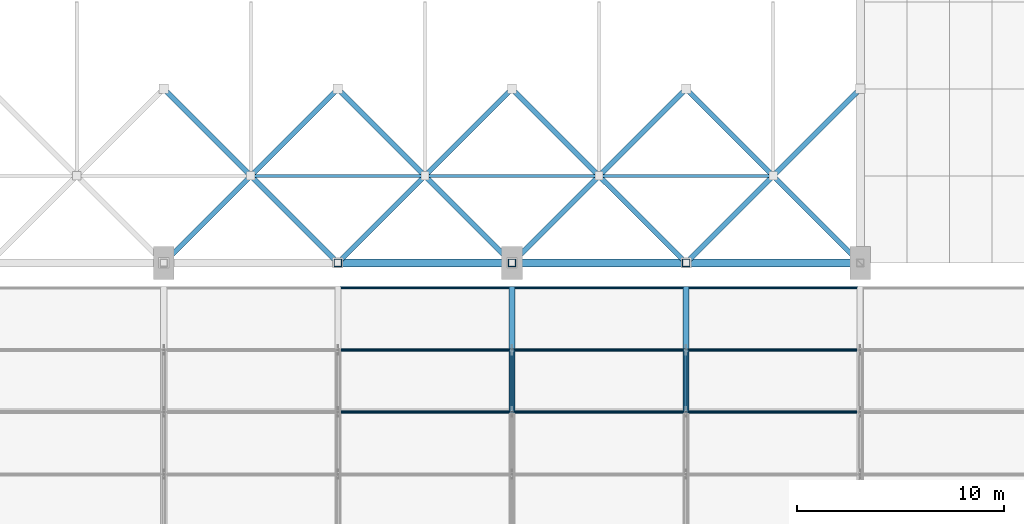
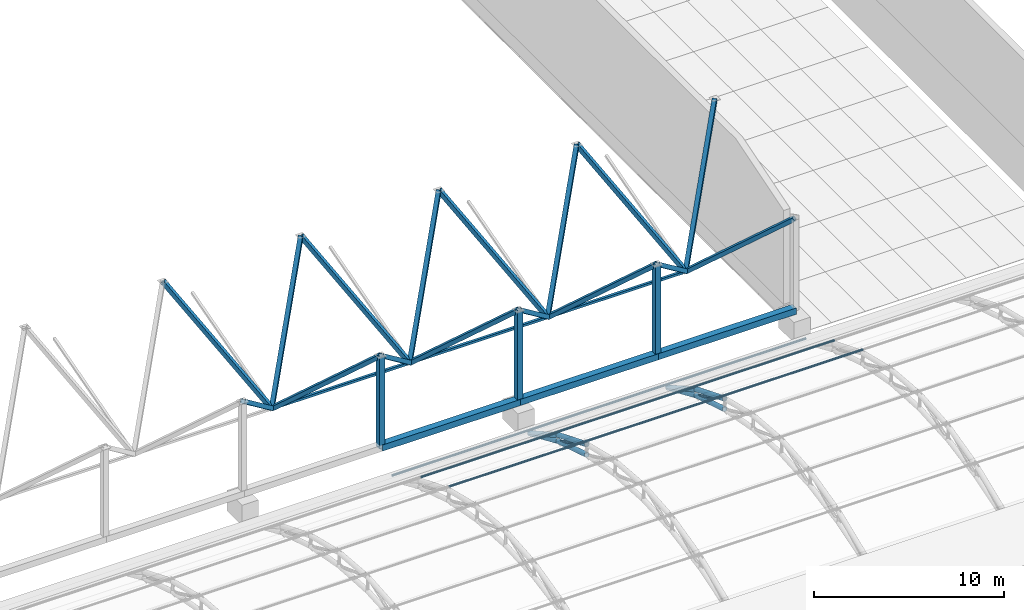
# One storey, part 22 of 163: 44 members.
"""IFC4 building model written with IfcOpenShell, lengths in metres."""

from ifc_helpers import new_model, si_unit, direction, frame, origin, origin_2d, place, context, subcontext, project, spatial, hollow_rectangle, hollow_circle, extrude, material, material_profile, profile_set, type_object, element, save


model = new_model("IFC4")

# Units and contexts
model_context = context("Model", 3, precision=1e-05, world=origin(), true_north=direction((0.0, 1.0)))
body_context = subcontext(model_context, "Body", "Model", "MODEL_VIEW")
ifc_project = project(units=[si_unit("LENGTHUNIT", "METRE"), si_unit("AREAUNIT", "SQUARE_METRE"), si_unit("VOLUMEUNIT", "CUBIC_METRE"), si_unit("PLANEANGLEUNIT", "RADIAN"), si_unit("MASSUNIT", "GRAM", prefix="KILO")], contexts=[model_context])

# Site, building, storey
site_placement = place(None, origin())
site = spatial("IfcSite", under=ifc_project, at=site_placement, CompositionType="ELEMENT")
building_placement = place(site_placement, origin())
building = spatial("IfcBuilding", under=site, at=building_placement, Name="Rain Tree Exposition and Congress Centre", CompositionType="ELEMENT")
storey_placement = place(building_placement, frame((0.0, 0.0, 10.5)))
storey = spatial("IfcBuildingStorey", under=building, at=storey_placement, Name="L02", CompositionType="ELEMENT", Elevation=10.5)

# Members
ifc_material_1 = material(Name="Steel S355J2H", Category="steel")
ifc_material_profile_1 = material_profile(ifc_material_1, hollow_circle(Radius=0.090087890625, WallThickness=0.008056640625, at=origin_2d()), Name="CHS 180x8")
ifc_profile_set_1 = profile_set([ifc_material_profile_1], Name="Steel S355J2H")
member_type_1 = type_object("IfcMemberType", Name="Steel brace member CHS 180x8", PredefinedType="BRACE", material=ifc_profile_set_1)
for number, where, z_axis, x_axis, name in (
    (1, (109.199951171875, 96.60009765625, 1.4423828125), (0.0, -0.880818418444, 0.473454236151), (1.0, 0.0, 0.0), "Roof truss 14 diagonal 6"),
    (2, (117.60009765625, 96.60009765625, 1.4423828125), (0.0, -0.880818418444, 0.473454236151), (1.0, 0.0, 0.0), "Roof truss 15 diagonal 6"),
):
    element("IfcMember", number, at=place(storey_placement, frame(where, z_axis=z_axis, x_axis=x_axis)), inside=storey, type_object=member_type_1, Name=name, PredefinedType="BRACE", context=body_context, shape_type="SweptSolid", body=[
        extrude(hollow_circle(Radius=0.090087890625, WallThickness=0.008056640625, at=origin_2d()), origin(), (0.0, 0.0, 1.0), 3.406005859375),
    ])
ifc_material_2 = material(Name="Steel S355J2H", Category="steel")
ifc_material_profile_2 = material_profile(ifc_material_2, hollow_rectangle(XDim=0.25, YDim=0.25, WallThickness=0.006103515625, at=origin_2d()), Name="RHS 250x250x6")
ifc_profile_set_2 = profile_set([ifc_material_profile_2], Name="Steel S355J2H")
member_type_2 = type_object("IfcMemberType", Name="Steel brace member RHS 250x250x6", PredefinedType="BRACE", material=ifc_profile_set_2)
for number, where, z_axis, x_axis, name in (
    (3, (96.60009765625, 105.0, 2.87353515625), (-0.564709499992, -0.564676675678, 0.601866623567), (0.70708622964, -0.707127332136, 0.0), "Diagonal 423"),
    (4, (96.60009765625, 105.0, 2.87353515625), (0.564687142626, -0.564687142626, 0.601877779875), (0.707106781187, 0.707106781187, 0.0), "Diagonal 424"),
):
    element("IfcMember", number, at=place(storey_placement, frame(where, z_axis=z_axis, x_axis=x_axis)), inside=storey, type_object=member_type_2, Name=name, PredefinedType="BRACE", context=body_context, shape_type="SweptSolid", body=[
        extrude(hollow_rectangle(XDim=0.25, YDim=0.25, WallThickness=0.006103515625, at=origin_2d()), origin(), (0.0, 0.0, 1.0), 7.437744140625),
    ])
for number, where, z_axis, x_axis, name in (
    (5, (96.60009765625, 105.0, 2.87353515625), (-0.453987384881, 0.453960996403, 0.766690855635), (-0.70708622964, -0.707127332136, 0.0), "Diagonal 425"),
    (6, (96.60009765625, 105.0, 2.87353515625), (0.453966434812, 0.453966434812, 0.766700040517), (-0.707106781187, 0.707106781187, 0.0), "Diagonal 426"),
):
    element("IfcMember", number, at=place(storey_placement, frame(where, z_axis=z_axis, x_axis=x_axis)), inside=storey, type_object=member_type_2, Name=name, PredefinedType="BRACE", context=body_context, shape_type="SweptSolid", body=[
        extrude(hollow_rectangle(XDim=0.25, YDim=0.25, WallThickness=0.006103515625, at=origin_2d()), origin(), (0.0, 0.0, 1.0), 9.251708984375),
    ])
for number, where, z_axis, x_axis, name in (
    (7, (105.0, 105.0, 2.87353515625), (-0.564687142626, -0.564687142626, 0.601877779875), (0.707106781187, -0.707106781187, 0.0), "Diagonal 429"),
    (8, (105.0, 105.0, 2.87353515625), (0.564687142626, -0.564687142626, 0.601877779875), (0.707106781187, 0.707106781187, 0.0), "Diagonal 430"),
):
    element("IfcMember", number, at=place(storey_placement, frame(where, z_axis=z_axis, x_axis=x_axis)), inside=storey, type_object=member_type_2, Name=name, PredefinedType="BRACE", context=body_context, shape_type="SweptSolid", body=[
        extrude(hollow_rectangle(XDim=0.25, YDim=0.25, WallThickness=0.006103515625, at=origin_2d()), origin(), (0.0, 0.0, 1.0), 7.437744140625),
    ])
for number, where, z_axis, x_axis, name in (
    (9, (105.0, 105.0, 2.87353515625), (-0.453966434812, 0.453966434812, 0.766700040517), (-0.707106781187, -0.707106781187, 0.0), "Diagonal 431"),
    (10, (105.0, 105.0, 2.87353515625), (0.453966434812, 0.453966434812, 0.766700040517), (-0.707106781187, 0.707106781187, 0.0), "Diagonal 432"),
):
    element("IfcMember", number, at=place(storey_placement, frame(where, z_axis=z_axis, x_axis=x_axis)), inside=storey, type_object=member_type_2, Name=name, PredefinedType="BRACE", context=body_context, shape_type="SweptSolid", body=[
        extrude(hollow_rectangle(XDim=0.25, YDim=0.25, WallThickness=0.006103515625, at=origin_2d()), origin(), (0.0, 0.0, 1.0), 9.251708984375),
    ])
for number, where, z_axis, x_axis, name in (
    (11, (113.39990234375, 105.0, 2.87353515625), (-0.564687142626, -0.564687142626, 0.601877779875), (0.707106781187, -0.707106781187, 0.0), "Diagonal 435"),
    (12, (113.39990234375, 105.0, 2.87353515625), (0.564709499992, -0.564676675678, 0.601866623567), (0.70708622964, 0.707127332136, 0.0), "Diagonal 436"),
):
    element("IfcMember", number, at=place(storey_placement, frame(where, z_axis=z_axis, x_axis=x_axis)), inside=storey, type_object=member_type_2, Name=name, PredefinedType="BRACE", context=body_context, shape_type="SweptSolid", body=[
        extrude(hollow_rectangle(XDim=0.25, YDim=0.25, WallThickness=0.006103515625, at=origin_2d()), origin(), (0.0, 0.0, 1.0), 7.437744140625),
    ])
for number, where, z_axis, x_axis, name in (
    (13, (113.39990234375, 105.0, 2.87353515625), (-0.453966434812, 0.453966434812, 0.766700040517), (-0.707106781187, -0.707106781187, 0.0), "Diagonal 437"),
    (14, (113.39990234375, 105.0, 2.87353515625), (0.453987384881, 0.453960996403, 0.766690855635), (-0.70708622964, 0.707127332136, 0.0), "Diagonal 438"),
):
    element("IfcMember", number, at=place(storey_placement, frame(where, z_axis=z_axis, x_axis=x_axis)), inside=storey, type_object=member_type_2, Name=name, PredefinedType="BRACE", context=body_context, shape_type="SweptSolid", body=[
        extrude(hollow_rectangle(XDim=0.25, YDim=0.25, WallThickness=0.006103515625, at=origin_2d()), origin(), (0.0, 0.0, 1.0), 9.251708984375),
    ])
for number, where, z_axis, x_axis, name in (
    (15, (121.800048828125, 105.0, 2.87353515625), (-0.564687142626, -0.564687142626, 0.601877779875), (0.707106781187, -0.707106781187, 0.0), "Diagonal 441"),
    (16, (121.800048828125, 105.0, 2.87353515625), (0.564687142626, -0.564687142626, 0.601877779875), (0.707106781187, 0.707106781187, 0.0), "Diagonal 442"),
):
    element("IfcMember", number, at=place(storey_placement, frame(where, z_axis=z_axis, x_axis=x_axis)), inside=storey, type_object=member_type_2, Name=name, PredefinedType="BRACE", context=body_context, shape_type="SweptSolid", body=[
        extrude(hollow_rectangle(XDim=0.25, YDim=0.25, WallThickness=0.006103515625, at=origin_2d()), origin(), (0.0, 0.0, 1.0), 7.437744140625),
    ])
for number, where, z_axis, x_axis, name in (
    (17, (121.800048828125, 105.0, 2.87353515625), (-0.453966434812, 0.453966434812, 0.766700040517), (-0.707106781187, -0.707106781187, 0.0), "Diagonal 443"),
    (18, (121.800048828125, 105.0, 2.87353515625), (0.453966434812, 0.453966434812, 0.766700040517), (-0.707106781187, 0.707106781187, 0.0), "Diagonal 444"),
):
    element("IfcMember", number, at=place(storey_placement, frame(where, z_axis=z_axis, x_axis=x_axis)), inside=storey, type_object=member_type_2, Name=name, PredefinedType="BRACE", context=body_context, shape_type="SweptSolid", body=[
        extrude(hollow_rectangle(XDim=0.25, YDim=0.25, WallThickness=0.006103515625, at=origin_2d()), origin(), (0.0, 0.0, 1.0), 9.251708984375),
    ])
ifc_material_3 = material(Name="Steel S355J2H", Category="steel")
ifc_material_profile_3 = material_profile(ifc_material_3, hollow_circle(Radius=0.14990234375, WallThickness=0.013916015625, at=origin_2d()), Name="CHS 300x14")
ifc_profile_set_3 = profile_set([ifc_material_profile_3], Name="Steel S355J2H")
member_type_3 = type_object("IfcMemberType", Name="Steel chord member CHS 300x14", PredefinedType="CHORD", material=ifc_profile_set_3)
member_1_placement = place(storey_placement, frame((109.199951171875, 93.60009765625, 3.054931640625), z_axis=(0.0, 0.926466577122, -0.376377046956), x_axis=(-1.0, 0.0, 0.0)))
element("IfcMember", 19, at=member_1_placement, inside=storey, type_object=member_type_3, Name="Roof truss 14 top chord 7", PredefinedType="CHORD", context=body_context, shape_type="SweptSolid", body=[
    extrude(hollow_circle(Radius=0.14990234375, WallThickness=0.013916015625, at=origin_2d()), origin(), (0.0, 0.0, 1.0), 3.238037109375),
])
member_2_placement = place(storey_placement, frame((109.199951171875, 93.60009765625, 2.3798828125), z_axis=(0.0, 0.954479978035, -0.298274993136), x_axis=(-1.0, 0.0, 0.0)))
element("IfcMember", 20, at=member_2_placement, inside=storey, type_object=member_type_3, Name="Roof truss 14 bottom chord 7", PredefinedType="CHORD", context=body_context, shape_type="SweptSolid", body=[
    extrude(hollow_circle(Radius=0.14990234375, WallThickness=0.013916015625, at=origin_2d()), origin(), (0.0, 0.0, 1.0), 3.14306640625),
])
member_3_placement = place(storey_placement, frame((109.199951171875, 96.60009765625, 1.836181640625), z_axis=(0.0, 0.869238262324, -0.494393409455), x_axis=(-1.0, 0.0, 0.0)))
element("IfcMember", 21, at=member_3_placement, inside=storey, type_object=member_type_3, Name="Roof truss 14 top chord 8", PredefinedType="CHORD", context=body_context, shape_type="SweptSolid", body=[
    extrude(hollow_circle(Radius=0.14990234375, WallThickness=0.013916015625, at=origin_2d()), origin(), (0.0, 0.0, 1.0), 3.451416015625),
])
member_4_placement = place(storey_placement, frame((109.199951171875, 96.60009765625, 1.4423828125), z_axis=(0.0, 0.916157334902, -0.40081883402), x_axis=(-1.0, 0.0, 0.0)))
element("IfcMember", 22, at=member_4_placement, inside=storey, type_object=member_type_3, Name="Roof truss 14 bottom chord 8", PredefinedType="CHORD", context=body_context, shape_type="SweptSolid", body=[
    extrude(hollow_circle(Radius=0.14990234375, WallThickness=0.013916015625, at=origin_2d()), origin(), (0.0, 0.0, 1.0), 3.274658203125),
])
member_5_placement = place(storey_placement, frame((117.60009765625, 93.60009765625, 3.054931640625), z_axis=(0.0, 0.926466577122, -0.376377046956), x_axis=(-1.0, 0.0, 0.0)))
element("IfcMember", 23, at=member_5_placement, inside=storey, type_object=member_type_3, Name="Roof truss 15 top chord 7", PredefinedType="CHORD", context=body_context, shape_type="SweptSolid", body=[
    extrude(hollow_circle(Radius=0.14990234375, WallThickness=0.013916015625, at=origin_2d()), origin(), (0.0, 0.0, 1.0), 3.238037109375),
])
member_6_placement = place(storey_placement, frame((117.60009765625, 93.60009765625, 2.3798828125), z_axis=(0.0, 0.954479978035, -0.298274993136), x_axis=(-1.0, 0.0, 0.0)))
element("IfcMember", 24, at=member_6_placement, inside=storey, type_object=member_type_3, Name="Roof truss 15 bottom chord 7", PredefinedType="CHORD", context=body_context, shape_type="SweptSolid", body=[
    extrude(hollow_circle(Radius=0.14990234375, WallThickness=0.013916015625, at=origin_2d()), origin(), (0.0, 0.0, 1.0), 3.14306640625),
])
member_7_placement = place(storey_placement, frame((117.60009765625, 96.60009765625, 1.836181640625), z_axis=(0.0, 0.869238262324, -0.494393409455), x_axis=(-1.0, 0.0, 0.0)))
element("IfcMember", 25, at=member_7_placement, inside=storey, type_object=member_type_3, Name="Roof truss 15 top chord 8", PredefinedType="CHORD", context=body_context, shape_type="SweptSolid", body=[
    extrude(hollow_circle(Radius=0.14990234375, WallThickness=0.013916015625, at=origin_2d()), origin(), (0.0, 0.0, 1.0), 3.451416015625),
])
member_8_placement = place(storey_placement, frame((117.60009765625, 96.60009765625, 1.4423828125), z_axis=(0.0, 0.916157334902, -0.40081883402), x_axis=(-1.0, 0.0, 0.0)))
element("IfcMember", 26, at=member_8_placement, inside=storey, type_object=member_type_3, Name="Roof truss 15 bottom chord 8", PredefinedType="CHORD", context=body_context, shape_type="SweptSolid", body=[
    extrude(hollow_circle(Radius=0.14990234375, WallThickness=0.013916015625, at=origin_2d()), origin(), (0.0, 0.0, 1.0), 3.274658203125),
])
ifc_material_4 = material(Name="Steel S355J2H", Category="steel")
ifc_material_profile_4 = material_profile(ifc_material_4, hollow_rectangle(XDim=0.14990234375, YDim=0.14990234375, WallThickness=0.00439453125, at=origin_2d()), Name="RHS 150x150x4.5")
ifc_profile_set_4 = profile_set([ifc_material_profile_4], Name="Steel S355J2H")
member_type_4 = type_object("IfcMemberType", Name="Steel chord member RHS 150x150x4.5", PredefinedType="CHORD", material=ifc_profile_set_4)
for number, where, z_axis, x_axis, name in (
    (27, (96.60009765625, 105.0, 2.87353515625), (1.0, 0.0, 0.0), (0.0, 1.0, 0.0), "Bottom chord 427"),
    (28, (105.0, 105.0, 2.87353515625), (1.0, 0.0, 0.0), (0.0, 1.0, 0.0), "Bottom chord 433"),
):
    element("IfcMember", number, at=place(storey_placement, frame(where, z_axis=z_axis, x_axis=x_axis)), inside=storey, type_object=member_type_4, Name=name, PredefinedType="CHORD", context=body_context, shape_type="SweptSolid", body=[
        extrude(hollow_rectangle(XDim=0.14990234375, YDim=0.14990234375, WallThickness=0.00439453125, at=origin_2d()), origin(), (0.0, 0.0, 1.0), 8.39990234375),
    ])
member_9_placement = place(storey_placement, frame((113.39990234375, 105.0, 2.87353515625), z_axis=(1.0, 0.0, 0.0), x_axis=(0.0, 1.0, 0.0)))
element("IfcMember", 29, at=member_9_placement, inside=storey, type_object=member_type_4, Name="Bottom chord 439", PredefinedType="CHORD", context=body_context, shape_type="SweptSolid", body=[
    extrude(hollow_rectangle(XDim=0.14990234375, YDim=0.14990234375, WallThickness=0.00439453125, at=origin_2d()), origin(), (0.0, 0.0, 1.0), 8.400146484375),
])
ifc_material_5 = material(Name="Steel S355J2H", Category="steel")
ifc_material_profile_5 = material_profile(ifc_material_5, hollow_rectangle(XDim=0.39990234375, YDim=0.39990234375, WallThickness=0.011962890625, at=origin_2d()), Name="RHS 400x400x12")
ifc_profile_set_5 = profile_set([ifc_material_profile_5], Name="Steel S355J2H")
member_type_5 = type_object("IfcMemberType", Name="Steel chord member RHS 400x400x12", PredefinedType="CHORD", material=ifc_profile_set_5)
member_10_placement = place(storey_placement, frame((100.800048828125, 100.800048828125, 1.5), z_axis=(1.0, 0.0, 0.0), x_axis=(0.0, 1.0, 0.0)))
element("IfcMember", 30, at=member_10_placement, inside=storey, type_object=member_type_5, Name="Eaves chord 1356", PredefinedType="CHORD", context=body_context, shape_type="SweptSolid", body=[
    extrude(hollow_rectangle(XDim=0.39990234375, YDim=0.39990234375, WallThickness=0.011962890625, at=origin_2d()), origin(), (0.0, 0.0, 1.0), 8.39990234375),
])
member_11_placement = place(storey_placement, frame((109.199951171875, 100.800048828125, 1.5), z_axis=(1.0, 0.0, 0.0), x_axis=(0.0, 1.0, 0.0)))
element("IfcMember", 31, at=member_11_placement, inside=storey, type_object=member_type_5, Name="Eaves chord 1357", PredefinedType="CHORD", context=body_context, shape_type="SweptSolid", body=[
    extrude(hollow_rectangle(XDim=0.39990234375, YDim=0.39990234375, WallThickness=0.011962890625, at=origin_2d()), origin(), (0.0, 0.0, 1.0), 8.400146484375),
])
member_12_placement = place(storey_placement, frame((117.60009765625, 100.800048828125, 1.5), z_axis=(1.0, 0.0, 0.0), x_axis=(0.0, 1.0, 0.0)))
element("IfcMember", 32, at=member_12_placement, inside=storey, type_object=member_type_5, Name="Eaves chord 1358", PredefinedType="CHORD", context=body_context, shape_type="SweptSolid", body=[
    extrude(hollow_rectangle(XDim=0.39990234375, YDim=0.39990234375, WallThickness=0.011962890625, at=origin_2d()), origin(), (0.0, 0.0, 1.0), 8.39990234375),
])
ifc_material_6 = material(Name="Steel S355J2H", Category="steel")
ifc_material_profile_6 = material_profile(ifc_material_6, hollow_rectangle(XDim=0.35009765625, YDim=0.35009765625, WallThickness=0.009033203125, at=origin_2d()), Name="RHS 350x350x9")
ifc_profile_set_6 = profile_set([ifc_material_profile_6], Name="Steel S355J2H")
member_type_6 = type_object("IfcMemberType", Name="Steel post member RHS 350x350x9", PredefinedType="POST", material=ifc_profile_set_6)
for number, where, z_axis, x_axis, name in (
    (33, (100.800048828125, 100.800048828125, 1.5), (0.0, 0.0, 1.0), (1.0, 0.0, 0.0), "Eaves post 1370"),
    (34, (109.199951171875, 100.800048828125, 1.5), (0.0, 0.0, 1.0), (1.0, 0.0, 0.0), "Eaves post 1371"),
    (35, (117.60009765625, 100.800048828125, 1.5), (0.0, 0.0, 1.0), (1.0, 0.0, 0.0), "Eaves post 1372"),
):
    element("IfcMember", number, at=place(storey_placement, frame(where, z_axis=z_axis, x_axis=x_axis)), inside=storey, type_object=member_type_6, Name=name, PredefinedType="POST", context=body_context, shape_type="SweptSolid", body=[
        extrude(hollow_rectangle(XDim=0.35009765625, YDim=0.35009765625, WallThickness=0.009033203125, at=origin_2d()), origin(), (0.0, 0.0, 1.0), 5.85009765625),
    ])
ifc_material_7 = material(Name="Steel S355J2H", Category="steel")
ifc_material_profile_7 = material_profile(ifc_material_7, hollow_circle(Radius=0.070068359375, WallThickness=0.006103515625, at=origin_2d()), Name="CHS 140x6")
ifc_profile_set_7 = profile_set([ifc_material_profile_7], Name="Steel S355J2H")
member_type_7 = type_object("IfcMemberType", Name="Steel purlin member CHS 140x6", PredefinedType="PURLIN", material=ifc_profile_set_7)
member_13_placement = place(storey_placement, frame((100.800048828125, 93.60009765625, 3.27490234375), z_axis=(1.0, 0.0, 0.0), x_axis=(0.0, 1.0, 0.0)))
element("IfcMember", 36, at=member_13_placement, inside=storey, type_object=member_type_7, Name="Roof purlin 7.13", PredefinedType="PURLIN", context=body_context, shape_type="SweptSolid", body=[
    extrude(hollow_circle(Radius=0.070068359375, WallThickness=0.006103515625, at=origin_2d()), origin(), (0.0, 0.0, 1.0), 8.39990234375),
])
member_14_placement = place(storey_placement, frame((109.199951171875, 93.60009765625, 3.27490234375), z_axis=(1.0, 0.0, 0.0), x_axis=(0.0, 1.0, 0.0)))
element("IfcMember", 37, at=member_14_placement, inside=storey, type_object=member_type_7, Name="Roof purlin 7.14", PredefinedType="PURLIN", context=body_context, shape_type="SweptSolid", body=[
    extrude(hollow_circle(Radius=0.070068359375, WallThickness=0.006103515625, at=origin_2d()), origin(), (0.0, 0.0, 1.0), 8.400146484375),
])
for number, where, z_axis, x_axis, name in (
    (38, (117.60009765625, 93.60009765625, 3.27490234375), (1.0, 0.0, 0.0), (0.0, 1.0, 0.0), "Roof purlin 7.15"),
    (39, (100.800048828125, 96.60009765625, 2.056396484375), (1.0, 0.0, 0.0), (0.0, 1.0, 0.0), "Roof purlin 8.13"),
):
    element("IfcMember", number, at=place(storey_placement, frame(where, z_axis=z_axis, x_axis=x_axis)), inside=storey, type_object=member_type_7, Name=name, PredefinedType="PURLIN", context=body_context, shape_type="SweptSolid", body=[
        extrude(hollow_circle(Radius=0.070068359375, WallThickness=0.006103515625, at=origin_2d()), origin(), (0.0, 0.0, 1.0), 8.39990234375),
    ])
member_15_placement = place(storey_placement, frame((109.199951171875, 96.60009765625, 2.056396484375), z_axis=(1.0, 0.0, 0.0), x_axis=(0.0, 1.0, 0.0)))
element("IfcMember", 40, at=member_15_placement, inside=storey, type_object=member_type_7, Name="Roof purlin 8.14", PredefinedType="PURLIN", context=body_context, shape_type="SweptSolid", body=[
    extrude(hollow_circle(Radius=0.070068359375, WallThickness=0.006103515625, at=origin_2d()), origin(), (0.0, 0.0, 1.0), 8.400146484375),
])
for number, where, z_axis, x_axis, name in (
    (41, (117.60009765625, 96.60009765625, 2.056396484375), (1.0, 0.0, 0.0), (0.0, 1.0, 0.0), "Roof purlin 8.15"),
    (42, (100.800048828125, 99.60009765625, 0.35009765625), (1.0, 0.0, 0.0), (0.0, 1.0, 0.0), "Roof purlin 9.13"),
):
    element("IfcMember", number, at=place(storey_placement, frame(where, z_axis=z_axis, x_axis=x_axis)), inside=storey, type_object=member_type_7, Name=name, PredefinedType="PURLIN", context=body_context, shape_type="SweptSolid", body=[
        extrude(hollow_circle(Radius=0.070068359375, WallThickness=0.006103515625, at=origin_2d()), origin(), (0.0, 0.0, 1.0), 8.39990234375),
    ])
member_16_placement = place(storey_placement, frame((109.199951171875, 99.60009765625, 0.35009765625), z_axis=(1.0, 0.0, 0.0), x_axis=(0.0, 1.0, 0.0)))
element("IfcMember", 43, at=member_16_placement, inside=storey, type_object=member_type_7, Name="Roof purlin 9.14", PredefinedType="PURLIN", context=body_context, shape_type="SweptSolid", body=[
    extrude(hollow_circle(Radius=0.070068359375, WallThickness=0.006103515625, at=origin_2d()), origin(), (0.0, 0.0, 1.0), 8.400146484375),
])
member_17_placement = place(storey_placement, frame((117.60009765625, 99.60009765625, 0.35009765625), z_axis=(1.0, 0.0, 0.0), x_axis=(0.0, 1.0, 0.0)))
element("IfcMember", 44, at=member_17_placement, inside=storey, type_object=member_type_7, Name="Roof purlin 9.15", PredefinedType="PURLIN", context=body_context, shape_type="SweptSolid", body=[
    extrude(hollow_circle(Radius=0.070068359375, WallThickness=0.006103515625, at=origin_2d()), origin(), (0.0, 0.0, 1.0), 8.39990234375),
])

save(model, "model.ifc")
